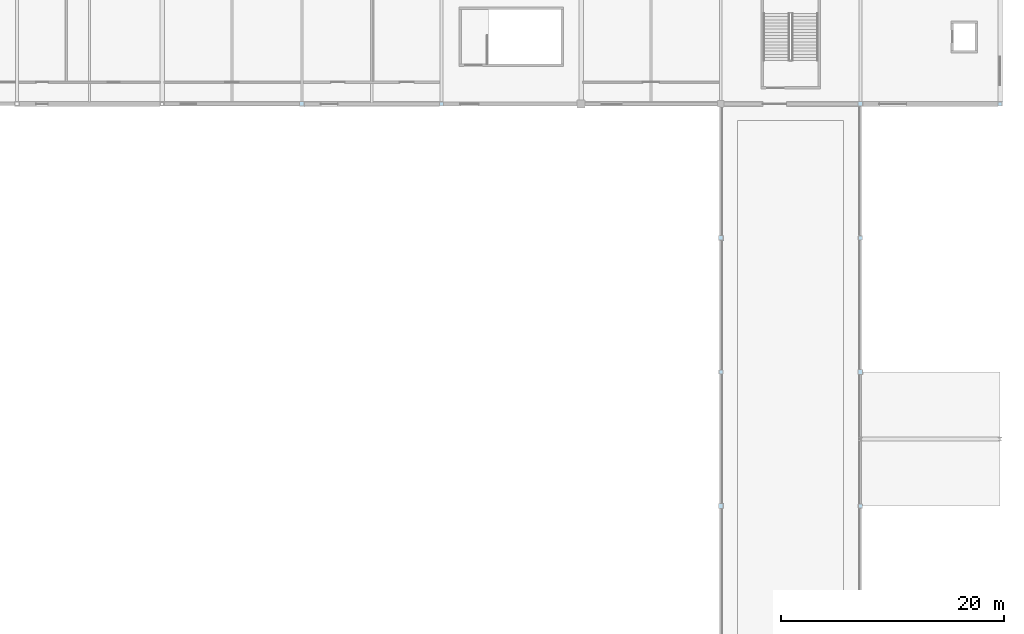
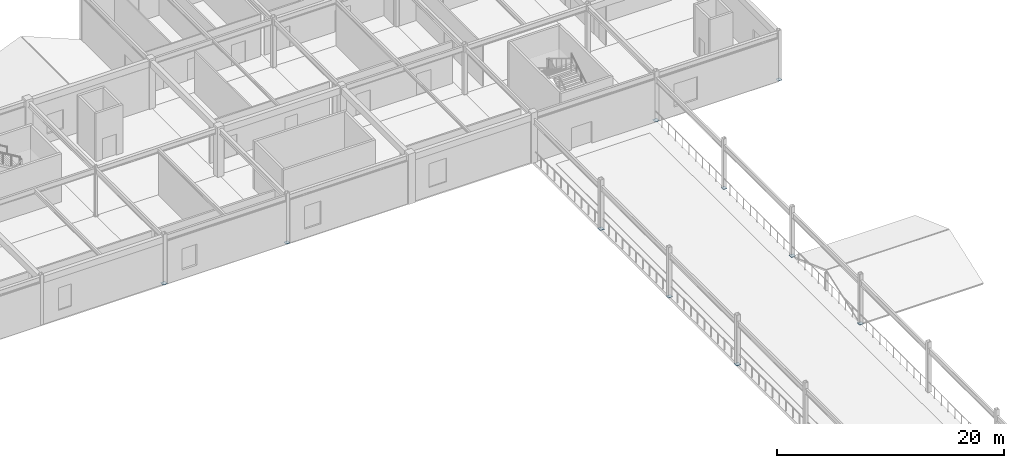
# One storey, part 68 of 105: 10 plates.
"""IFC4 building model written with IfcOpenShell, lengths in metres."""

from ifc_helpers import new_model, si_unit, direction, frame, origin, origin_2d, place, context, subcontext, project, spatial, rectangle, extrude, material, layer, layer_set, type_object, element, save


model = new_model("IFC4")

# Units and contexts
model_context = context("Model", 3, precision=1e-05, world=origin(), true_north=direction((0.0, 1.0)))
body_context = subcontext(model_context, "Body", "Model", "MODEL_VIEW")
ifc_project = project(units=[si_unit("LENGTHUNIT", "METRE"), si_unit("AREAUNIT", "SQUARE_METRE"), si_unit("VOLUMEUNIT", "CUBIC_METRE"), si_unit("PLANEANGLEUNIT", "RADIAN"), si_unit("MASSUNIT", "GRAM", prefix="KILO")], contexts=[model_context])

# Site, building, storey
site_placement = place(None, origin())
site = spatial("IfcSite", under=ifc_project, at=site_placement, CompositionType="ELEMENT")
building_placement = place(site_placement, origin())
building = spatial("IfcBuilding", under=site, at=building_placement, Name="Kazenohara Klinker Stadium", CompositionType="ELEMENT")
storey_placement = place(building_placement, frame((0.0, 0.0, 20.39990234375)))
storey = spatial("IfcBuildingStorey", under=building, at=storey_placement, Name="L04", CompositionType="ELEMENT", Elevation=20.39990234375)

# Plates
ifc_material = material(Name="Steel S355", Category="steel")
ifc_layer_1 = layer(ifc_material, 0.02001953125)
ifc_layer_set_1 = layer_set([ifc_layer_1], Name="Steel S355")
plate_type_1 = type_object("IfcPlateType", Name="PLT-GP01", PredefinedType="USERDEFINED", material=ifc_layer_set_1)
plate_1_placement = place(storey_placement, frame((187.5, 120.0, -0.010009765625), z_axis=(0.0, 0.0, 1.0), x_axis=(1.0, 0.0, 0.0)))
element("IfcPlate", 1, at=plate_1_placement, inside=storey, type_object=plate_type_1, Name="Hollow column end-cap plate GP01 L04 16/L", ObjectType="GUSSET PLATE", PredefinedType="USERDEFINED", context=body_context, shape_type="SweptSolid", body=[
    extrude(rectangle(XDim=0.389892578125, YDim=0.389892578125, at=origin_2d()), origin(), (0.0, 0.0, 1.0), 0.02001953125),
])
plate_2_placement = place(storey_placement, frame((187.5, 132.0, -0.010009765625), z_axis=(0.0, 0.0, 1.0), x_axis=(1.0, 0.0, 0.0)))
element("IfcPlate", 2, at=plate_2_placement, inside=storey, type_object=plate_type_1, Name="Hollow column end-cap plate GP01 L04 16/M", ObjectType="GUSSET PLATE", PredefinedType="USERDEFINED", context=body_context, shape_type="SweptSolid", body=[
    extrude(rectangle(XDim=0.43994140625, YDim=0.43994140625, at=origin_2d()), origin(), (0.0, 0.0, 1.0), 0.02001953125),
])
plate_3_placement = place(storey_placement, frame((200.0, 132.0, -0.010009765625), z_axis=(0.0, 0.0, 1.0), x_axis=(1.0, 0.0, 0.0)))
element("IfcPlate", 3, at=plate_3_placement, inside=storey, type_object=plate_type_1, Name="Hollow column end-cap plate GP01 L04 17/M", ObjectType="GUSSET PLATE", PredefinedType="USERDEFINED", context=body_context, shape_type="SweptSolid", body=[
    extrude(rectangle(XDim=0.389892578125, YDim=0.389892578125, at=origin_2d()), origin(), (0.0, 0.0, 1.0), 0.02001953125),
])
ifc_layer_2 = layer(ifc_material, 0.02197265625)
ifc_layer_set_2 = layer_set([ifc_layer_2], Name="Steel S355")
plate_type_2 = type_object("IfcPlateType", Name="PLT-GP02", PredefinedType="USERDEFINED", material=ifc_layer_set_2)
plate_4_placement = place(storey_placement, frame((187.5, 108.0, -0.010986328125), z_axis=(0.0, 0.0, 1.0), x_axis=(1.0, 0.0, 0.0)))
element("IfcPlate", 4, at=plate_4_placement, inside=storey, type_object=plate_type_2, Name="Hollow column end-cap plate GP02 L04 16/K", ObjectType="GUSSET PLATE", PredefinedType="USERDEFINED", context=body_context, shape_type="SweptSolid", body=[
    extrude(rectangle(XDim=0.43994140625, YDim=0.43994140625, at=origin_2d()), origin(), (0.0, 0.0, 1.0), 0.02197265625),
])
ifc_layer_3 = layer(ifc_material, 0.02392578125)
ifc_layer_set_3 = layer_set([ifc_layer_3], Name="Steel S355")
plate_type_3 = type_object("IfcPlateType", Name="PLT-GP03", PredefinedType="USERDEFINED", material=ifc_layer_set_3)
plate_5_placement = place(storey_placement, frame((175.0, 120.0, -0.011962890625), z_axis=(0.0, 0.0, 1.0), x_axis=(1.0, 0.0, 0.0)))
element("IfcPlate", 5, at=plate_5_placement, inside=storey, type_object=plate_type_3, Name="Hollow column end-cap plate GP03 L04 15/L", ObjectType="GUSSET PLATE", PredefinedType="USERDEFINED", context=body_context, shape_type="SweptSolid", body=[
    extrude(rectangle(XDim=0.43994140625, YDim=0.43994140625, at=origin_2d()), origin(), (0.0, 0.0, 1.0), 0.02392578125),
])
plate_6_placement = place(storey_placement, frame((187.5, 96.0, -0.011962890625), z_axis=(0.0, 0.0, 1.0), x_axis=(1.0, 0.0, 0.0)))
element("IfcPlate", 6, at=plate_6_placement, inside=storey, type_object=plate_type_3, Name="Hollow column end-cap plate GP03 L04 16/J", ObjectType="GUSSET PLATE", PredefinedType="USERDEFINED", context=body_context, shape_type="SweptSolid", body=[
    extrude(rectangle(XDim=0.389892578125, YDim=0.389892578125, at=origin_2d()), origin(), (0.0, 0.0, 1.0), 0.02392578125),
])
ifc_layer_4 = layer(ifc_material, 0.02490234375)
ifc_layer_set_4 = layer_set([ifc_layer_4], Name="Steel S355")
plate_type_4 = type_object("IfcPlateType", Name="PLT-GP04", PredefinedType="USERDEFINED", material=ifc_layer_set_4)
plate_7_placement = place(storey_placement, frame((137.5, 132.0, -0.012451171875), z_axis=(0.0, 0.0, 1.0), x_axis=(1.0, 0.0, 0.0)))
element("IfcPlate", 7, at=plate_7_placement, inside=storey, type_object=plate_type_4, Name="Hollow column end-cap plate GP04 L04 12/M", ObjectType="GUSSET PLATE", PredefinedType="USERDEFINED", context=body_context, shape_type="SweptSolid", body=[
    extrude(rectangle(XDim=0.43994140625, YDim=0.43994140625, at=origin_2d()), origin(), (0.0, 0.0, 1.0), 0.02490234375),
])
plate_8_placement = place(storey_placement, frame((150.0, 132.0, -0.012451171875), z_axis=(0.0, 0.0, 1.0), x_axis=(1.0, 0.0, 0.0)))
element("IfcPlate", 8, at=plate_8_placement, inside=storey, type_object=plate_type_4, Name="Hollow column end-cap plate GP04 L04 13/M", ObjectType="GUSSET PLATE", PredefinedType="USERDEFINED", context=body_context, shape_type="SweptSolid", body=[
    extrude(rectangle(XDim=0.389892578125, YDim=0.389892578125, at=origin_2d()), origin(), (0.0, 0.0, 1.0), 0.02490234375),
])
plate_9_placement = place(storey_placement, frame((175.0, 96.0, -0.012451171875), z_axis=(0.0, 0.0, 1.0), x_axis=(1.0, 0.0, 0.0)))
element("IfcPlate", 9, at=plate_9_placement, inside=storey, type_object=plate_type_4, Name="Hollow column end-cap plate GP04 L04 15/J", ObjectType="GUSSET PLATE", PredefinedType="USERDEFINED", context=body_context, shape_type="SweptSolid", body=[
    extrude(rectangle(XDim=0.43994140625, YDim=0.43994140625, at=origin_2d()), origin(), (0.0, 0.0, 1.0), 0.02490234375),
])
plate_10_placement = place(storey_placement, frame((175.0, 108.0, -0.012451171875), z_axis=(0.0, 0.0, 1.0), x_axis=(1.0, 0.0, 0.0)))
element("IfcPlate", 10, at=plate_10_placement, inside=storey, type_object=plate_type_4, Name="Hollow column end-cap plate GP04 L04 15/K", ObjectType="GUSSET PLATE", PredefinedType="USERDEFINED", context=body_context, shape_type="SweptSolid", body=[
    extrude(rectangle(XDim=0.389892578125, YDim=0.389892578125, at=origin_2d()), origin(), (0.0, 0.0, 1.0), 0.02490234375),
])

save(model, "model.ifc")
